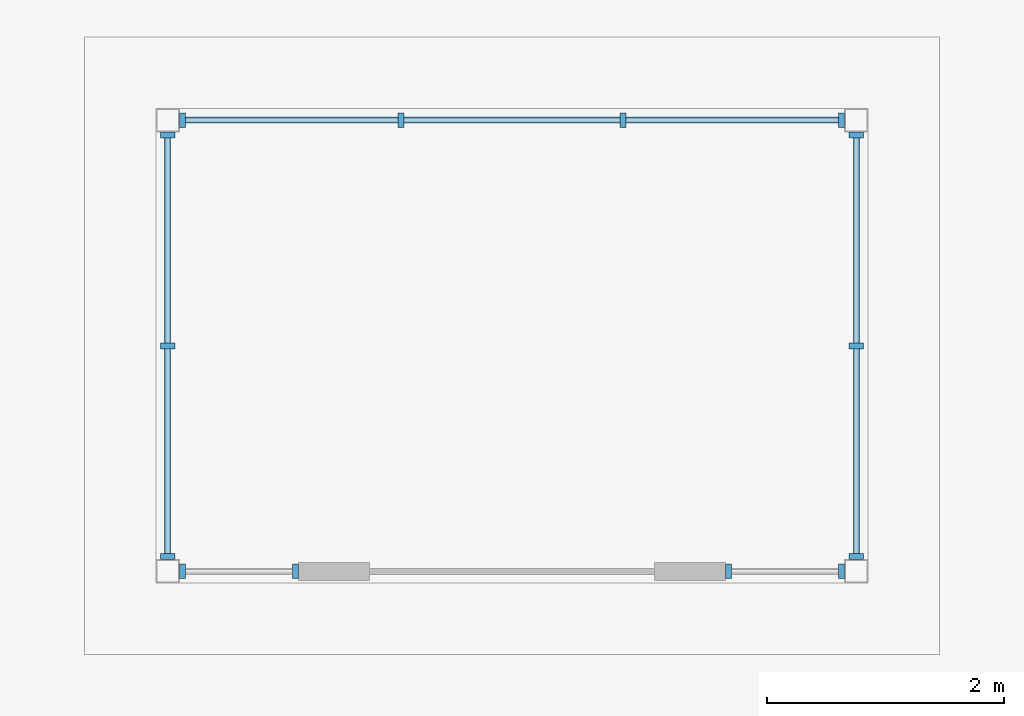
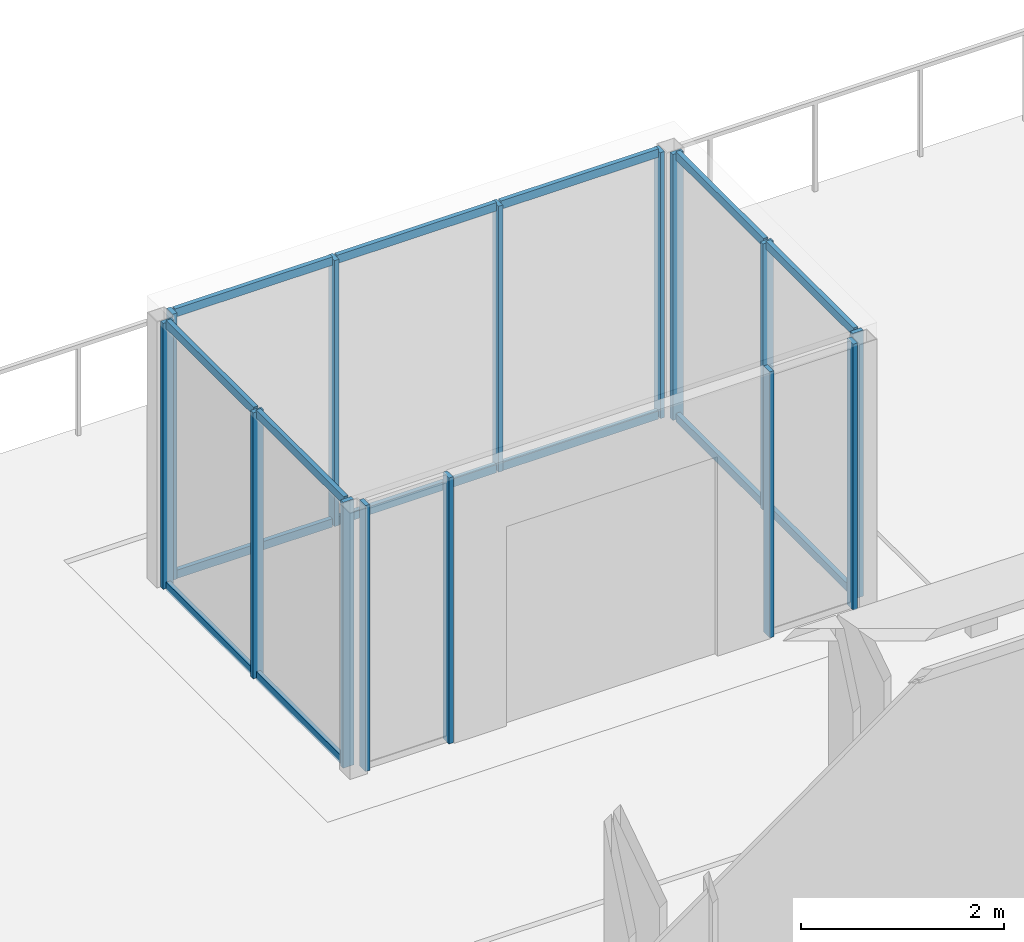
# One storey, part 14 of 38: 28 members, 5 elements without a shape of their own.
"""IFC4 building model written with IfcOpenShell, lengths in metres."""

from ifc_helpers import new_model, si_unit, direction, frame, origin, origin_2d, place, context, subcontext, project, spatial, rectangle, hollow_rectangle, extrude, material, material_profile, profile_set, type_object, element, aggregate, save


model = new_model("IFC4")

# Units and contexts
model_context = context("Model", 3, precision=1e-05, world=origin(), true_north=direction((0.0, 1.0)))
body_context = subcontext(model_context, "Body", "Model", "MODEL_VIEW")
ifc_project = project(units=[si_unit("LENGTHUNIT", "METRE"), si_unit("AREAUNIT", "SQUARE_METRE"), si_unit("VOLUMEUNIT", "CUBIC_METRE"), si_unit("PLANEANGLEUNIT", "RADIAN"), si_unit("MASSUNIT", "GRAM", prefix="KILO")], contexts=[model_context])

# Site, building, storey
site_placement = place(None, origin())
site = spatial("IfcSite", under=ifc_project, at=site_placement, CompositionType="ELEMENT")
building_placement = place(site_placement, origin())
building = spatial("IfcBuilding", under=site, at=building_placement, Name="Beryl Residences", CompositionType="ELEMENT")
storey_placement = place(building_placement, frame((0.0, 0.0, 9.0)))
storey = spatial("IfcBuildingStorey", under=building, at=storey_placement, Name="L02", CompositionType="ELEMENT", Elevation=9.0)

# Curtain wall, members
ifc_material_1 = material(Name="Aluminium and clear glass", Category="aluminium")
curtain_wall_type = type_object("IfcCurtainWallType", Name="CW6 garden pavilion glazing glazed wall", PredefinedType="NOTDEFINED", material=ifc_material_1)
curtain_wall_1_placement = place(storey_placement, origin())
curtain_wall_1 = element("IfcCurtainWall", 1, at=curtain_wall_1_placement, inside=storey, type_object=curtain_wall_type, Name="CW6 pavilion 3 s0", PredefinedType="NOTDEFINED")
ifc_material_2 = material(Name="Aluminium", Category="aluminium")
ifc_material_profile_1 = material_profile(ifc_material_2, rectangle(XDim=0.050048828125, YDim=0.1201171875, at=origin_2d()))
ifc_profile_set_1 = profile_set([ifc_material_profile_1], Name="Aluminium")
member_type_1 = type_object("IfcMemberType", Name="CW6-M mullion 50 x 120 mm", PredefinedType="MULLION", material=ifc_profile_set_1)
member_1_placement = place(storey_placement, frame((-2.77490234375, 33.60009765625, 0.0), z_axis=(0.0, 0.0, 1.0), x_axis=(1.0, 0.0, 0.0)))
member_1 = element("IfcMember", 2, at=member_1_placement, type_object=member_type_1, Name="CW6 mullion 1", PredefinedType="MULLION", context=body_context, shape_type="SweptSolid", body=[
    extrude(rectangle(XDim=0.050048828125, YDim=0.1201171875, at=origin_2d()), origin(), (0.0, 0.0, 1.0), 3.199951171875),
])
member_2_placement = place(storey_placement, frame((-1.824951171875, 33.60009765625, 0.0), z_axis=(0.0, 0.0, 1.0), x_axis=(1.0, 0.0, 0.0)))
member_2 = element("IfcMember", 3, at=member_2_placement, type_object=member_type_1, Name="CW6 mullion 2", PredefinedType="MULLION", context=body_context, shape_type="SweptSolid", body=[
    extrude(rectangle(XDim=0.050048828125, YDim=0.1201171875, at=origin_2d()), origin(), (0.0, 0.0, 1.0), 3.199951171875),
])
aggregate(curtain_wall_1, [member_1, member_2])

curtain_wall_2_placement = place(storey_placement, origin())
curtain_wall_2 = element("IfcCurtainWall", 4, at=curtain_wall_2_placement, inside=storey, type_object=curtain_wall_type, Name="CW6 pavilion 3 s2", PredefinedType="NOTDEFINED")
member_3_placement = place(storey_placement, frame((1.824951171875, 33.60009765625, 0.0), z_axis=(0.0, 0.0, 1.0), x_axis=(1.0, 0.0, 0.0)))
member_3 = element("IfcMember", 5, at=member_3_placement, type_object=member_type_1, Name="CW6 mullion 1", PredefinedType="MULLION", context=body_context, shape_type="SweptSolid", body=[
    extrude(rectangle(XDim=0.050048828125, YDim=0.1201171875, at=origin_2d()), origin(), (0.0, 0.0, 1.0), 3.199951171875),
])
member_4_placement = place(storey_placement, frame((2.77490234375, 33.60009765625, 0.0), z_axis=(0.0, 0.0, 1.0), x_axis=(1.0, 0.0, 0.0)))
member_4 = element("IfcMember", 6, at=member_4_placement, type_object=member_type_1, Name="CW6 mullion 2", PredefinedType="MULLION", context=body_context, shape_type="SweptSolid", body=[
    extrude(rectangle(XDim=0.050048828125, YDim=0.1201171875, at=origin_2d()), origin(), (0.0, 0.0, 1.0), 3.199951171875),
])
aggregate(curtain_wall_2, [member_3, member_4])

curtain_wall_3_placement = place(storey_placement, origin())
curtain_wall_3 = element("IfcCurtainWall", 7, at=curtain_wall_3_placement, inside=storey, type_object=curtain_wall_type, Name="CW6 pavilion 3 e", PredefinedType="NOTDEFINED")
member_5_placement = place(storey_placement, frame((2.89990234375, 33.72509765625, 0.0), z_axis=(0.0, 0.0, 1.0), x_axis=(0.0, 1.0, 0.0)))
member_5 = element("IfcMember", 8, at=member_5_placement, type_object=member_type_1, Name="CW6 mullion 1", PredefinedType="MULLION", context=body_context, shape_type="SweptSolid", body=[
    extrude(rectangle(XDim=0.050048828125, YDim=0.1201171875, at=origin_2d()), origin(), (0.0, 0.0, 1.0), 3.199951171875),
])
member_6_placement = place(storey_placement, frame((2.89990234375, 35.5, 0.0), z_axis=(0.0, 0.0, 1.0), x_axis=(0.0, 1.0, 0.0)))
member_6 = element("IfcMember", 9, at=member_6_placement, type_object=member_type_1, Name="CW6 mullion 2", PredefinedType="MULLION", context=body_context, shape_type="SweptSolid", body=[
    extrude(rectangle(XDim=0.050048828125, YDim=0.1201171875, at=origin_2d()), origin(), (0.0, 0.0, 1.0), 3.199951171875),
])
member_7_placement = place(storey_placement, frame((2.89990234375, 37.27490234375, 0.0), z_axis=(0.0, 0.0, 1.0), x_axis=(0.0, 1.0, 0.0)))
member_7 = element("IfcMember", 10, at=member_7_placement, type_object=member_type_1, Name="CW6 mullion 3", PredefinedType="MULLION", context=body_context, shape_type="SweptSolid", body=[
    extrude(rectangle(XDim=0.050048828125, YDim=0.1201171875, at=origin_2d()), origin(), (0.0, 0.0, 1.0), 3.199951171875),
])

curtain_wall_4_placement = place(storey_placement, origin())
curtain_wall_4 = element("IfcCurtainWall", 11, at=curtain_wall_4_placement, inside=storey, type_object=curtain_wall_type, Name="CW6 pavilion 3 n", PredefinedType="NOTDEFINED")
member_8_placement = place(storey_placement, frame((2.77490234375, 37.39990234375, 0.0), z_axis=(0.0, 0.0, 1.0), x_axis=(-1.0, 0.0, 0.0)))
member_8 = element("IfcMember", 12, at=member_8_placement, type_object=member_type_1, Name="CW6 mullion 1", PredefinedType="MULLION", context=body_context, shape_type="SweptSolid", body=[
    extrude(rectangle(XDim=0.050048828125, YDim=0.1201171875, at=origin_2d()), origin(), (0.0, 0.0, 1.0), 3.199951171875),
])
member_9_placement = place(storey_placement, frame((0.933349609375, 37.39990234375, 0.0), z_axis=(0.0, 0.0, 1.0), x_axis=(-1.0, 0.0, 0.0)))
member_9 = element("IfcMember", 13, at=member_9_placement, type_object=member_type_1, Name="CW6 mullion 2", PredefinedType="MULLION", context=body_context, shape_type="SweptSolid", body=[
    extrude(rectangle(XDim=0.050048828125, YDim=0.1201171875, at=origin_2d()), origin(), (0.0, 0.0, 1.0), 3.199951171875),
])
member_10_placement = place(storey_placement, frame((-0.933349609375, 37.39990234375, 0.0), z_axis=(0.0, 0.0, 1.0), x_axis=(-1.0, 0.0, 0.0)))
member_10 = element("IfcMember", 14, at=member_10_placement, type_object=member_type_1, Name="CW6 mullion 3", PredefinedType="MULLION", context=body_context, shape_type="SweptSolid", body=[
    extrude(rectangle(XDim=0.050048828125, YDim=0.1201171875, at=origin_2d()), origin(), (0.0, 0.0, 1.0), 3.199951171875),
])
member_11_placement = place(storey_placement, frame((-2.77490234375, 37.39990234375, 0.0), z_axis=(0.0, 0.0, 1.0), x_axis=(-1.0, 0.0, 0.0)))
member_11 = element("IfcMember", 15, at=member_11_placement, type_object=member_type_1, Name="CW6 mullion 4", PredefinedType="MULLION", context=body_context, shape_type="SweptSolid", body=[
    extrude(rectangle(XDim=0.050048828125, YDim=0.1201171875, at=origin_2d()), origin(), (0.0, 0.0, 1.0), 3.199951171875),
])

curtain_wall_5_placement = place(storey_placement, origin())
curtain_wall_5 = element("IfcCurtainWall", 16, at=curtain_wall_5_placement, inside=storey, type_object=curtain_wall_type, Name="CW6 pavilion 3 w", PredefinedType="NOTDEFINED")
member_12_placement = place(storey_placement, frame((-2.89990234375, 37.27490234375, 0.0), z_axis=(0.0, 0.0, 1.0), x_axis=(0.0, -1.0, 0.0)))
member_12 = element("IfcMember", 17, at=member_12_placement, type_object=member_type_1, Name="CW6 mullion 1", PredefinedType="MULLION", context=body_context, shape_type="SweptSolid", body=[
    extrude(rectangle(XDim=0.050048828125, YDim=0.1201171875, at=origin_2d()), origin(), (0.0, 0.0, 1.0), 3.199951171875),
])
member_13_placement = place(storey_placement, frame((-2.89990234375, 35.5, 0.0), z_axis=(0.0, 0.0, 1.0), x_axis=(0.0, -1.0, 0.0)))
member_13 = element("IfcMember", 18, at=member_13_placement, type_object=member_type_1, Name="CW6 mullion 2", PredefinedType="MULLION", context=body_context, shape_type="SweptSolid", body=[
    extrude(rectangle(XDim=0.050048828125, YDim=0.1201171875, at=origin_2d()), origin(), (0.0, 0.0, 1.0), 3.199951171875),
])
member_14_placement = place(storey_placement, frame((-2.89990234375, 33.72509765625, 0.0), z_axis=(0.0, 0.0, 1.0), x_axis=(0.0, -1.0, 0.0)))
member_14 = element("IfcMember", 19, at=member_14_placement, type_object=member_type_1, Name="CW6 mullion 3", PredefinedType="MULLION", context=body_context, shape_type="SweptSolid", body=[
    extrude(rectangle(XDim=0.050048828125, YDim=0.1201171875, at=origin_2d()), origin(), (0.0, 0.0, 1.0), 3.199951171875),
])

# Member
ifc_material_3 = material(Name="Aluminium", Category="aluminium")
ifc_material_profile_2 = material_profile(ifc_material_3, hollow_rectangle(XDim=0.050048828125, YDim=0.10009765625, WallThickness=0.00390625, at=origin_2d()))
ifc_profile_set_2 = profile_set([ifc_material_profile_2], Name="Aluminium")
member_type_2 = type_object("IfcMemberType", Name="CW6-T transom 50 x 100 mm", PredefinedType="USERDEFINED", material=ifc_profile_set_2)
member_15_placement = place(storey_placement, frame((2.89990234375, 33.75, 0.02490234375), z_axis=(0.0, 1.0, 0.0), x_axis=(-1.0, 0.0, 0.0)))
member_15 = element("IfcMember", 20, at=member_15_placement, type_object=member_type_2, Name="CW6 transom 1.1", ObjectType="TRANSOM", PredefinedType="USERDEFINED", context=body_context, shape_type="SweptSolid", body=[
    extrude(hollow_rectangle(XDim=0.050048828125, YDim=0.10009765625, WallThickness=0.00390625, at=origin_2d()), origin(), (0.0, 0.0, 1.0), 1.72509765625),
])

member_16_placement = place(storey_placement, frame((2.89990234375, 33.75, 3.175048828125), z_axis=(0.0, 1.0, 0.0), x_axis=(-1.0, 0.0, 0.0)))
member_16 = element("IfcMember", 21, at=member_16_placement, type_object=member_type_2, Name="CW6 transom 1.2", ObjectType="TRANSOM", PredefinedType="USERDEFINED", context=body_context, shape_type="SweptSolid", body=[
    extrude(hollow_rectangle(XDim=0.050048828125, YDim=0.10009765625, WallThickness=0.00390625, at=origin_2d()), origin(), (0.0, 0.0, 1.0), 1.72509765625),
])

member_17_placement = place(storey_placement, frame((2.89990234375, 35.52490234375, 0.02490234375), z_axis=(0.0, 1.0, 0.0), x_axis=(-1.0, 0.0, 0.0)))
member_17 = element("IfcMember", 22, at=member_17_placement, type_object=member_type_2, Name="CW6 transom 2.1", ObjectType="TRANSOM", PredefinedType="USERDEFINED", context=body_context, shape_type="SweptSolid", body=[
    extrude(hollow_rectangle(XDim=0.050048828125, YDim=0.10009765625, WallThickness=0.00390625, at=origin_2d()), origin(), (0.0, 0.0, 1.0), 1.72509765625),
])

member_18_placement = place(storey_placement, frame((2.89990234375, 35.52490234375, 3.175048828125), z_axis=(0.0, 1.0, 0.0), x_axis=(-1.0, 0.0, 0.0)))
member_18 = element("IfcMember", 23, at=member_18_placement, type_object=member_type_2, Name="CW6 transom 2.2", ObjectType="TRANSOM", PredefinedType="USERDEFINED", context=body_context, shape_type="SweptSolid", body=[
    extrude(hollow_rectangle(XDim=0.050048828125, YDim=0.10009765625, WallThickness=0.00390625, at=origin_2d()), origin(), (0.0, 0.0, 1.0), 1.72509765625),
])

aggregate(curtain_wall_3, [member_5, member_6, member_7, member_15, member_16, member_17, member_18])

member_19_placement = place(storey_placement, frame((2.75, 37.39990234375, 0.02490234375), z_axis=(-1.0, 0.0, 0.0), x_axis=(0.0, -1.0, 0.0)))
member_19 = element("IfcMember", 24, at=member_19_placement, type_object=member_type_2, Name="CW6 transom 1.1", ObjectType="TRANSOM", PredefinedType="USERDEFINED", context=body_context, shape_type="SweptSolid", body=[
    extrude(hollow_rectangle(XDim=0.050048828125, YDim=0.10009765625, WallThickness=0.00390625, at=origin_2d()), origin(), (0.0, 0.0, 1.0), 1.791748046875),
])

member_20_placement = place(storey_placement, frame((2.75, 37.39990234375, 3.175048828125), z_axis=(-1.0, 0.0, 0.0), x_axis=(0.0, -1.0, 0.0)))
member_20 = element("IfcMember", 25, at=member_20_placement, type_object=member_type_2, Name="CW6 transom 1.2", ObjectType="TRANSOM", PredefinedType="USERDEFINED", context=body_context, shape_type="SweptSolid", body=[
    extrude(hollow_rectangle(XDim=0.050048828125, YDim=0.10009765625, WallThickness=0.00390625, at=origin_2d()), origin(), (0.0, 0.0, 1.0), 1.791748046875),
])

member_21_placement = place(storey_placement, frame((0.908447265625, 37.39990234375, 0.02490234375), z_axis=(-1.0, 0.0, 0.0), x_axis=(0.0, -1.0, 0.0)))
member_21 = element("IfcMember", 26, at=member_21_placement, type_object=member_type_2, Name="CW6 transom 2.1", ObjectType="TRANSOM", PredefinedType="USERDEFINED", context=body_context, shape_type="SweptSolid", body=[
    extrude(hollow_rectangle(XDim=0.050048828125, YDim=0.10009765625, WallThickness=0.00390625, at=origin_2d()), origin(), (0.0, 0.0, 1.0), 1.81689453125),
])

member_22_placement = place(storey_placement, frame((0.908447265625, 37.39990234375, 3.175048828125), z_axis=(-1.0, 0.0, 0.0), x_axis=(0.0, -1.0, 0.0)))
member_22 = element("IfcMember", 27, at=member_22_placement, type_object=member_type_2, Name="CW6 transom 2.2", ObjectType="TRANSOM", PredefinedType="USERDEFINED", context=body_context, shape_type="SweptSolid", body=[
    extrude(hollow_rectangle(XDim=0.050048828125, YDim=0.10009765625, WallThickness=0.00390625, at=origin_2d()), origin(), (0.0, 0.0, 1.0), 1.81689453125),
])

member_23_placement = place(storey_placement, frame((-0.958251953125, 37.39990234375, 0.02490234375), z_axis=(-1.0, 0.0, 0.0), x_axis=(0.0, -1.0, 0.0)))
member_23 = element("IfcMember", 28, at=member_23_placement, type_object=member_type_2, Name="CW6 transom 3.1", ObjectType="TRANSOM", PredefinedType="USERDEFINED", context=body_context, shape_type="SweptSolid", body=[
    extrude(hollow_rectangle(XDim=0.050048828125, YDim=0.10009765625, WallThickness=0.00390625, at=origin_2d()), origin(), (0.0, 0.0, 1.0), 1.791748046875),
])

member_24_placement = place(storey_placement, frame((-0.958251953125, 37.39990234375, 3.175048828125), z_axis=(-1.0, 0.0, 0.0), x_axis=(0.0, -1.0, 0.0)))
member_24 = element("IfcMember", 29, at=member_24_placement, type_object=member_type_2, Name="CW6 transom 3.2", ObjectType="TRANSOM", PredefinedType="USERDEFINED", context=body_context, shape_type="SweptSolid", body=[
    extrude(hollow_rectangle(XDim=0.050048828125, YDim=0.10009765625, WallThickness=0.00390625, at=origin_2d()), origin(), (0.0, 0.0, 1.0), 1.791748046875),
])

aggregate(curtain_wall_4, [member_8, member_9, member_10, member_11, member_19, member_20, member_21, member_22, member_23, member_24])

member_25_placement = place(storey_placement, frame((-2.89990234375, 37.25, 0.02490234375), z_axis=(0.0, -1.0, 0.0), x_axis=(1.0, 0.0, 0.0)))
member_25 = element("IfcMember", 30, at=member_25_placement, type_object=member_type_2, Name="CW6 transom 1.1", ObjectType="TRANSOM", PredefinedType="USERDEFINED", context=body_context, shape_type="SweptSolid", body=[
    extrude(hollow_rectangle(XDim=0.050048828125, YDim=0.10009765625, WallThickness=0.00390625, at=origin_2d()), origin(), (0.0, 0.0, 1.0), 1.72509765625),
])

member_26_placement = place(storey_placement, frame((-2.89990234375, 37.25, 3.175048828125), z_axis=(0.0, -1.0, 0.0), x_axis=(1.0, 0.0, 0.0)))
member_26 = element("IfcMember", 31, at=member_26_placement, type_object=member_type_2, Name="CW6 transom 1.2", ObjectType="TRANSOM", PredefinedType="USERDEFINED", context=body_context, shape_type="SweptSolid", body=[
    extrude(hollow_rectangle(XDim=0.050048828125, YDim=0.10009765625, WallThickness=0.00390625, at=origin_2d()), origin(), (0.0, 0.0, 1.0), 1.72509765625),
])

member_27_placement = place(storey_placement, frame((-2.89990234375, 35.47509765625, 0.02490234375), z_axis=(0.0, -1.0, 0.0), x_axis=(1.0, 0.0, 0.0)))
member_27 = element("IfcMember", 32, at=member_27_placement, type_object=member_type_2, Name="CW6 transom 2.1", ObjectType="TRANSOM", PredefinedType="USERDEFINED", context=body_context, shape_type="SweptSolid", body=[
    extrude(hollow_rectangle(XDim=0.050048828125, YDim=0.10009765625, WallThickness=0.00390625, at=origin_2d()), origin(), (0.0, 0.0, 1.0), 1.72509765625),
])

member_28_placement = place(storey_placement, frame((-2.89990234375, 35.47509765625, 3.175048828125), z_axis=(0.0, -1.0, 0.0), x_axis=(1.0, 0.0, 0.0)))
member_28 = element("IfcMember", 33, at=member_28_placement, type_object=member_type_2, Name="CW6 transom 2.2", ObjectType="TRANSOM", PredefinedType="USERDEFINED", context=body_context, shape_type="SweptSolid", body=[
    extrude(hollow_rectangle(XDim=0.050048828125, YDim=0.10009765625, WallThickness=0.00390625, at=origin_2d()), origin(), (0.0, 0.0, 1.0), 1.72509765625),
])

aggregate(curtain_wall_5, [member_12, member_13, member_14, member_25, member_26, member_27, member_28])

save(model, "model.ifc")
